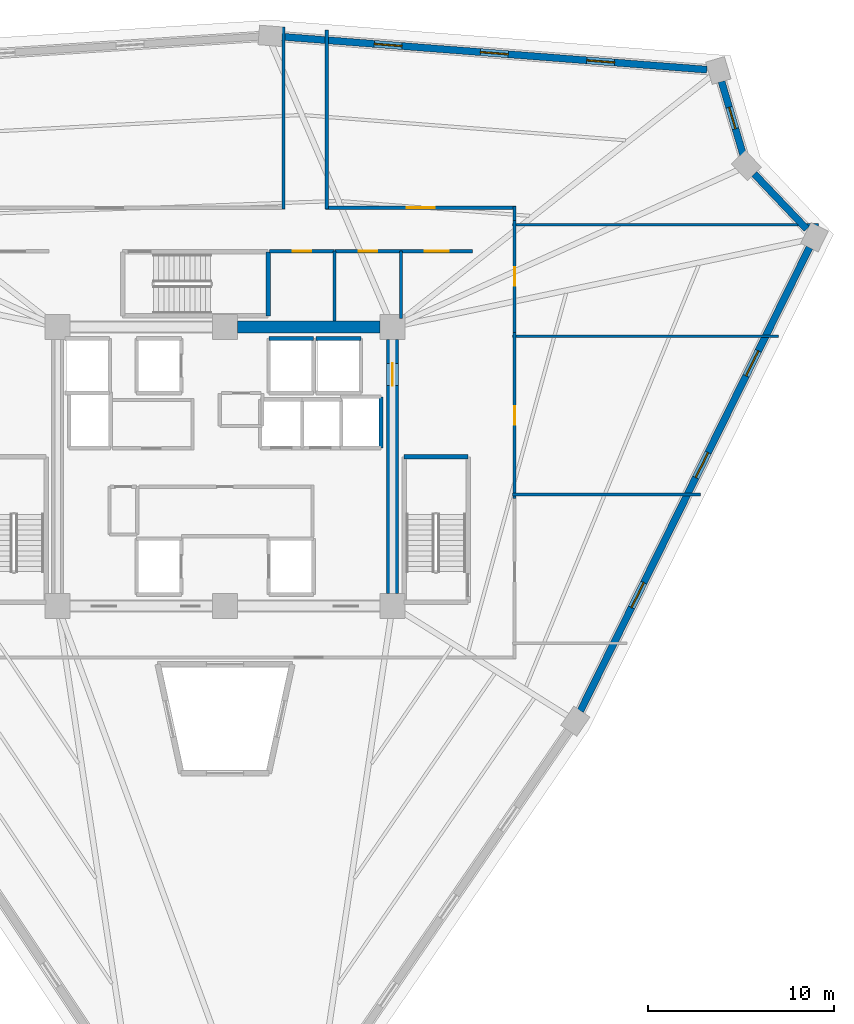
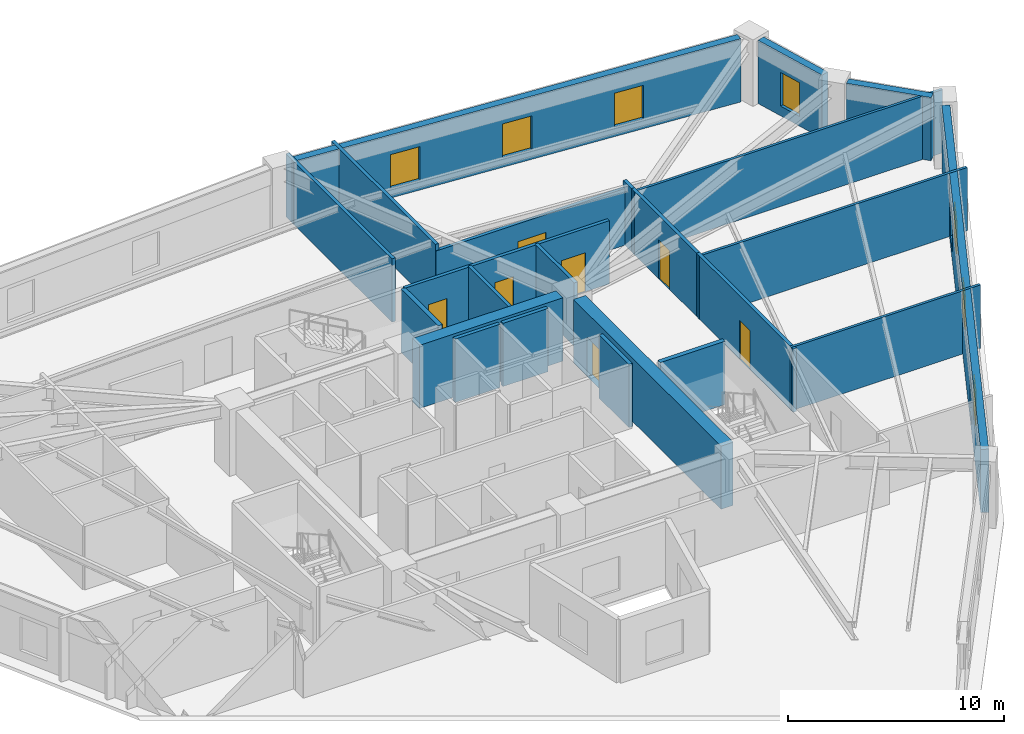
# One storey, part 6 of 8: 25 walls, 7 doors, 7 windows, 14 openings.
"""IFC4 building model written with IfcOpenShell, lengths in metres."""

from ifc_helpers import new_model, si_unit, direction, frame, frame_2d, origin, place, context, subcontext, project, spatial, rectangle, extrude, source, transform, mapped, material, layer, layer_set, type_object, element, fill, save


model = new_model("IFC4")

# Units and contexts
model_context = context("Model", 3, precision=1e-05, world=origin(), true_north=direction((0.0, 1.0)))
body_context = subcontext(model_context, "Body", "Model", "MODEL_VIEW")
ifc_project = project(units=[si_unit("LENGTHUNIT", "METRE"), si_unit("AREAUNIT", "SQUARE_METRE"), si_unit("VOLUMEUNIT", "CUBIC_METRE"), si_unit("PLANEANGLEUNIT", "RADIAN"), si_unit("MASSUNIT", "GRAM", prefix="KILO")], contexts=[model_context])

# Site, building, storey
site_placement = place(None, origin())
site = spatial("IfcSite", under=ifc_project, at=site_placement, CompositionType="ELEMENT")
building_placement = place(site_placement, origin())
building = spatial("IfcBuilding", under=site, at=building_placement, Name="Liaohun Quay Tower", CompositionType="ELEMENT")
storey_placement = place(building_placement, frame((0.0, 0.0, 266.25)))
storey = spatial("IfcBuildingStorey", under=building, at=storey_placement, Name="L69", CompositionType="ELEMENT", Elevation=266.25)

# Wall
ifc_material_1 = material(Name="Concrete C55", Category="concrete")
ifc_layer_1 = layer(ifc_material_1, 0.64990234375, Name="Concrete C55", Category="concrete")
ifc_layer_set_1 = layer_set([ifc_layer_1], Name="Concrete C55")
wall_type_1 = type_object("IfcWallType", Name="WAL-COR-Z3", PredefinedType="SHEAR", material=ifc_layer_set_1)
wall_1_placement = place(storey_placement, frame((60.675048828125, 61.5, 0.0), z_axis=(0.0, 0.0, 1.0), x_axis=(1.0, 0.0, 0.0)))
element("IfcWall", 1, at=wall_1_placement, inside=storey, type_object=wall_type_1, Name="L69 Central Core Shear Wall N-E", PredefinedType="SHEAR", context=body_context, shape_type="SweptSolid", body=[
    extrude(rectangle(XDim=7.64990234375, YDim=0.64990234375, at=frame_2d((3.824951171875, 0.0))), origin(), (0.0, 0.0, 1.0), 3.570068359375),
])

# Wall, opening, door
wall_2_placement = place(storey_placement, frame((69.0, 60.824951171875, 0.0), z_axis=(0.0, 0.0, 1.0), x_axis=(0.0, -1.0, 0.0)))
wall_2 = element("IfcWall", 2, at=wall_2_placement, inside=storey, type_object=wall_type_1, Name="L69 Central Core Shear Wall E", PredefinedType="SHEAR", context=body_context, shape_type="SweptSolid", body=[
    extrude(rectangle(XDim=13.64990234375, YDim=0.64990234375, at=frame_2d((6.824951171875, 0.0))), origin(), (0.0, 0.0, 1.0), 3.570068359375),
])
shared_shape_1 = source(origin(), body_context, "Body", "SweptSolid", [
    extrude(rectangle(XDim=1.199951171875, YDim=2.199951171875, at=frame_2d((0.60009765625, 1.10009765625))), frame((0.0, 0.3349609375, 0.0), z_axis=(0.0, -1.0, 0.0), x_axis=(1.0, 0.0, 0.0)), (0.0, 0.0, 1.0), 0.669921875),
])
opening_1_placement = place(wall_2_placement, frame((1.27490234375, 0.0, 0.0)))
opening_1 = element("IfcOpeningElement", 3, at=opening_1_placement, cuts=wall_2, Name="Opening SD1", PredefinedType="OPENING", context=body_context, shape_type="MappedRepresentation", body=[
    mapped(shared_shape_1, transform((0.0, 0.0, 0.0), x_axis=(1.0, 0.0, 0.0), y_axis=(0.0, 1.0, 0.0), z_axis=(0.0, 0.0, 1.0), scale=1.0)),
])
ifc_material_2 = material(Name="Galvanised steel fire door", Category="steel")
door_type_1 = type_object("IfcDoorType", Name="DOR-STR-1200", OperationType="NOTDEFINED", PredefinedType="DOOR", material=ifc_material_2)
shared_shape_2 = source(origin(), body_context, "Body", "SweptSolid", [
    extrude(rectangle(XDim=1.199951171875, YDim=2.199951171875, at=frame_2d((0.60009765625, 1.10009765625))), frame((0.0, 0.02490234375, 0.0), z_axis=(0.0, -1.0, 0.0), x_axis=(1.0, 0.0, 0.0)), (0.0, 0.0, 1.0), 0.050048828125),
])
door_1_placement = place(opening_1_placement, origin())
door_1 = element("IfcDoor", 4, at=door_1_placement, inside=storey, type_object=door_type_1, Name="L69 North-East Core Lobby Smokeproof Door", OperationType="SINGLE_SWING_LEFT", OverallHeight=2.199951171875, OverallWidth=1.199951171875, PredefinedType="DOOR", context=body_context, shape_type="MappedRepresentation", body=[
    mapped(shared_shape_2, transform((0.0, 0.0, 0.0), x_axis=(1.0, 0.0, 0.0), y_axis=(0.0, 1.0, 0.0), z_axis=(0.0, 0.0, 1.0), scale=1.0)),
])
fill(opening_1, door_1)

# Wall, openings, windows
ifc_material_3 = material(Name="Precast concrete C50 insulated sandwich", Category="concrete")
ifc_layer_2 = layer(ifc_material_3, 0.3798828125, Name="Precast concrete C50 insulated sandwich", Category="concrete")
ifc_layer_set_2 = layer_set([ifc_layer_2], Name="Precast concrete C50 insulated sandwich")
wall_type_2 = type_object("IfcWallType", Name="WAL-EXT-Z34", PredefinedType="SOLIDWALL", material=ifc_layer_set_2)
wall_3_placement = place(storey_placement, frame((79.10009765625, 40.864990234375, 0.0), z_axis=(0.0, 0.0, 1.0), x_axis=(0.44309993188, 0.896472225096, 0.0)))
wall_3 = element("IfcWall", 5, at=wall_3_placement, inside=storey, type_object=wall_type_2, Name="L69 Brutalist Precast Pier Wall 03", PredefinedType="SOLIDWALL", context=body_context, shape_type="SweptSolid", body=[
    extrude(rectangle(XDim=27.783447265625, YDim=0.3798828125, at=frame_2d((13.8916015625, 0.0))), origin(), (0.0, 0.0, 1.0), 3.570068359375),
])
shared_shape_3 = source(origin(), body_context, "Body", "SweptSolid", [
    extrude(rectangle(XDim=1.5, YDim=1.89990234375, at=frame_2d((0.75, 0.949951171875))), frame((0.0, 0.199951171875, 0.0), z_axis=(0.0, -1.0, 0.0), x_axis=(1.0, 0.0, 0.0)), (0.0, 0.0, 1.0), 0.39990234375),
])
opening_2_placement = place(wall_3_placement, frame((6.196044921875, 0.0, 0.550048828125)))
opening_2 = element("IfcOpeningElement", 6, at=opening_2_placement, cuts=wall_3, Name="Opening W03", PredefinedType="OPENING", context=body_context, shape_type="MappedRepresentation", body=[
    mapped(shared_shape_3, transform((0.0, 0.0, 0.0), x_axis=(1.0, 0.0, 0.0), y_axis=(0.0, 1.0, 0.0), z_axis=(0.0, 0.0, 1.0), scale=1.0)),
])
opening_3_placement = place(wall_3_placement, frame((13.991943359375, 0.0, 0.550048828125)))
opening_3 = element("IfcOpeningElement", 7, at=opening_3_placement, cuts=wall_3, Name="Opening W03", PredefinedType="OPENING", context=body_context, shape_type="MappedRepresentation", body=[
    mapped(shared_shape_3, transform((0.0, 0.0, 0.0), x_axis=(1.0, 0.0, 0.0), y_axis=(0.0, 1.0, 0.0), z_axis=(0.0, 0.0, 1.0), scale=1.0)),
])
opening_4_placement = place(wall_3_placement, frame((20.087890625, 0.0, 0.550048828125)))
opening_4 = element("IfcOpeningElement", 8, at=opening_4_placement, cuts=wall_3, Name="Opening W03", PredefinedType="OPENING", context=body_context, shape_type="MappedRepresentation", body=[
    mapped(shared_shape_3, transform((0.0, 0.0, 0.0), x_axis=(1.0, 0.0, 0.0), y_axis=(0.0, 1.0, 0.0), z_axis=(0.0, 0.0, 1.0), scale=1.0)),
])
ifc_material_4 = material(Name="Triple Low-E argon glazing in thermally broken aluminium", Category="aluminium")
window_type_1 = type_object("IfcWindowType", Name="WIN-PUN-Z3", PartitioningType="DOUBLE_PANEL_VERTICAL", PredefinedType="WINDOW", material=ifc_material_4)
shared_shape_4 = source(origin(), body_context, "Body", "SweptSolid", [
    extrude(rectangle(XDim=1.5, YDim=1.89990234375, at=frame_2d((0.75, 0.949951171875))), frame((0.0, 0.030029296875, 0.0), z_axis=(0.0, -1.0, 0.0), x_axis=(1.0, 0.0, 0.0)), (0.0, 0.0, 1.0), 0.06005859375),
])
window_1_placement = place(opening_2_placement, origin())
window_1 = element("IfcWindow", 9, at=window_1_placement, inside=storey, type_object=window_type_1, Name="L69 Recessed Cold-Climate Punched Window 03-1", OverallHeight=1.89990234375, OverallWidth=1.5, PartitioningType="DOUBLE_PANEL_VERTICAL", PredefinedType="WINDOW", context=body_context, shape_type="MappedRepresentation", body=[
    mapped(shared_shape_4, transform((0.0, 0.0, 0.0), x_axis=(1.0, 0.0, 0.0), y_axis=(0.0, 1.0, 0.0), z_axis=(0.0, 0.0, 1.0), scale=1.0)),
])
fill(opening_2, window_1)
window_2_placement = place(opening_3_placement, origin())
window_2 = element("IfcWindow", 10, at=window_2_placement, inside=storey, type_object=window_type_1, Name="L69 Recessed Cold-Climate Punched Window 03-2", OverallHeight=1.89990234375, OverallWidth=1.5, PartitioningType="DOUBLE_PANEL_VERTICAL", PredefinedType="WINDOW", context=body_context, shape_type="MappedRepresentation", body=[
    mapped(shared_shape_4, transform((0.0, 0.0, 0.0), x_axis=(1.0, 0.0, 0.0), y_axis=(0.0, 1.0, 0.0), z_axis=(0.0, 0.0, 1.0), scale=1.0)),
])
fill(opening_3, window_2)
window_3_placement = place(opening_4_placement, origin())
window_3 = element("IfcWindow", 11, at=window_3_placement, inside=storey, type_object=window_type_1, Name="L69 Recessed Cold-Climate Punched Window 03-3", OverallHeight=1.89990234375, OverallWidth=1.5, PartitioningType="DOUBLE_PANEL_VERTICAL", PredefinedType="WINDOW", context=body_context, shape_type="MappedRepresentation", body=[
    mapped(shared_shape_4, transform((0.0, 0.0, 0.0), x_axis=(1.0, 0.0, 0.0), y_axis=(0.0, 1.0, 0.0), z_axis=(0.0, 0.0, 1.0), scale=1.0)),
])
fill(opening_4, window_3)

# Wall
wall_4_placement = place(storey_placement, frame((91.259033203125, 66.76904296875, 0.0), z_axis=(0.0, 0.0, 1.0), x_axis=(-0.689420989275, 0.724360890404, 0.0)))
element("IfcWall", 12, at=wall_4_placement, inside=storey, type_object=wall_type_2, Name="L69 Brutalist Precast Pier Wall 04", PredefinedType="SOLIDWALL", context=body_context, shape_type="SweptSolid", body=[
    extrude(rectangle(XDim=4.087646484375, YDim=0.3798828125, at=frame_2d((2.0439453125, 0.0))), origin(), (0.0, 0.0, 1.0), 3.570068359375),
])

# Wall, opening, window
wall_5_placement = place(storey_placement, frame((87.843017578125, 70.76611328125, 0.0), z_axis=(0.0, 0.0, 1.0), x_axis=(-0.282766622506, 0.95918873909, 0.0)))
wall_5 = element("IfcWall", 13, at=wall_5_placement, inside=storey, type_object=wall_type_2, Name="L69 Brutalist Precast Pier Wall 05", PredefinedType="SOLIDWALL", context=body_context, shape_type="SweptSolid", body=[
    extrude(rectangle(XDim=4.09521484375, YDim=0.3798828125, at=frame_2d((2.047607421875, 0.0))), origin(), (0.0, 0.0, 1.0), 3.570068359375),
])
shared_shape_5 = source(origin(), body_context, "Body", "SweptSolid", [
    extrude(rectangle(XDim=1.199951171875, YDim=1.89990234375, at=frame_2d((0.60009765625, 0.949951171875))), frame((0.0, 0.199951171875, 0.0), z_axis=(0.0, -1.0, 0.0), x_axis=(1.0, 0.0, 0.0)), (0.0, 0.0, 1.0), 0.39990234375),
])
opening_5_placement = place(wall_5_placement, frame((1.447998046875, 0.0, 0.550048828125)))
opening_5 = element("IfcOpeningElement", 14, at=opening_5_placement, cuts=wall_5, Name="Opening W05", PredefinedType="OPENING", context=body_context, shape_type="MappedRepresentation", body=[
    mapped(shared_shape_5, transform((0.0, 0.0, 0.0), x_axis=(1.0, 0.0, 0.0), y_axis=(0.0, 1.0, 0.0), z_axis=(0.0, 0.0, 1.0), scale=1.0)),
])
ifc_material_5 = material(Name="Triple Low-E corner notch glazing", Category="glass")
window_type_2 = type_object("IfcWindowType", Name="WIN-NOTCH", PartitioningType="SINGLE_PANEL", PredefinedType="WINDOW", material=ifc_material_5)
shared_shape_6 = source(origin(), body_context, "Body", "SweptSolid", [
    extrude(rectangle(XDim=1.199951171875, YDim=1.89990234375, at=frame_2d((0.60009765625, 0.949951171875))), frame((0.0, 0.030029296875, 0.0), z_axis=(0.0, -1.0, 0.0), x_axis=(1.0, 0.0, 0.0)), (0.0, 0.0, 1.0), 0.06005859375),
])
window_4_placement = place(opening_5_placement, origin())
window_4 = element("IfcWindow", 15, at=window_4_placement, inside=storey, type_object=window_type_2, Name="L69 Corner Notch Window W05-05", OverallHeight=1.89990234375, OverallWidth=1.199951171875, PartitioningType="SINGLE_PANEL", PredefinedType="WINDOW", context=body_context, shape_type="MappedRepresentation", body=[
    mapped(shared_shape_6, transform((0.0, 0.0, 0.0), x_axis=(1.0, 0.0, 0.0), y_axis=(0.0, 1.0, 0.0), z_axis=(0.0, 0.0, 1.0), scale=1.0)),
])
fill(opening_5, window_4)

# Wall, openings, windows
wall_6_placement = place(storey_placement, frame((85.89794921875, 75.3310546875, 0.0), z_axis=(0.0, 0.0, 1.0), x_axis=(-0.997012155609, 0.077244815801, 0.0)))
wall_6 = element("IfcWall", 16, at=wall_6_placement, inside=storey, type_object=wall_type_2, Name="L69 Brutalist Precast Pier Wall 06", PredefinedType="SOLIDWALL", context=body_context, shape_type="SweptSolid", body=[
    extrude(rectangle(XDim=22.914306640625, YDim=0.3798828125, at=frame_2d((11.45703125, 0.0))), origin(), (0.0, 0.0, 1.0), 3.570068359375),
])
opening_6_placement = place(wall_6_placement, frame((4.97900390625, 0.0, 0.550048828125)))
opening_6 = element("IfcOpeningElement", 17, at=opening_6_placement, cuts=wall_6, Name="Opening W03", PredefinedType="OPENING", context=body_context, shape_type="MappedRepresentation", body=[
    mapped(shared_shape_3, transform((0.0, 0.0, 0.0), x_axis=(1.0, 0.0, 0.0), y_axis=(0.0, 1.0, 0.0), z_axis=(0.0, 0.0, 1.0), scale=1.0)),
])
opening_7_placement = place(wall_6_placement, frame((10.70703125, 0.0, 0.550048828125)))
opening_7 = element("IfcOpeningElement", 18, at=opening_7_placement, cuts=wall_6, Name="Opening W03", PredefinedType="OPENING", context=body_context, shape_type="MappedRepresentation", body=[
    mapped(shared_shape_3, transform((0.0, 0.0, 0.0), x_axis=(1.0, 0.0, 0.0), y_axis=(0.0, 1.0, 0.0), z_axis=(0.0, 0.0, 1.0), scale=1.0)),
])
opening_8_placement = place(wall_6_placement, frame((16.43603515625, 0.0, 0.550048828125)))
opening_8 = element("IfcOpeningElement", 19, at=opening_8_placement, cuts=wall_6, Name="Opening W03", PredefinedType="OPENING", context=body_context, shape_type="MappedRepresentation", body=[
    mapped(shared_shape_3, transform((0.0, 0.0, 0.0), x_axis=(1.0, 0.0, 0.0), y_axis=(0.0, 1.0, 0.0), z_axis=(0.0, 0.0, 1.0), scale=1.0)),
])
window_5_placement = place(opening_6_placement, origin())
window_5 = element("IfcWindow", 20, at=window_5_placement, inside=storey, type_object=window_type_1, Name="L69 Recessed Cold-Climate Punched Window 06-1", OverallHeight=1.89990234375, OverallWidth=1.5, PartitioningType="DOUBLE_PANEL_VERTICAL", PredefinedType="WINDOW", context=body_context, shape_type="MappedRepresentation", body=[
    mapped(shared_shape_4, transform((0.0, 0.0, 0.0), x_axis=(1.0, 0.0, 0.0), y_axis=(0.0, 1.0, 0.0), z_axis=(0.0, 0.0, 1.0), scale=1.0)),
])
fill(opening_6, window_5)
window_6_placement = place(opening_7_placement, origin())
window_6 = element("IfcWindow", 21, at=window_6_placement, inside=storey, type_object=window_type_1, Name="L69 Recessed Cold-Climate Punched Window 06-2", OverallHeight=1.89990234375, OverallWidth=1.5, PartitioningType="DOUBLE_PANEL_VERTICAL", PredefinedType="WINDOW", context=body_context, shape_type="MappedRepresentation", body=[
    mapped(shared_shape_4, transform((0.0, 0.0, 0.0), x_axis=(1.0, 0.0, 0.0), y_axis=(0.0, 1.0, 0.0), z_axis=(0.0, 0.0, 1.0), scale=1.0)),
])
fill(opening_7, window_6)
window_7_placement = place(opening_8_placement, origin())
window_7 = element("IfcWindow", 22, at=window_7_placement, inside=storey, type_object=window_type_1, Name="L69 Recessed Cold-Climate Punched Window 06-3", OverallHeight=1.89990234375, OverallWidth=1.5, PartitioningType="DOUBLE_PANEL_VERTICAL", PredefinedType="WINDOW", context=body_context, shape_type="MappedRepresentation", body=[
    mapped(shared_shape_4, transform((0.0, 0.0, 0.0), x_axis=(1.0, 0.0, 0.0), y_axis=(0.0, 1.0, 0.0), z_axis=(0.0, 0.0, 1.0), scale=1.0)),
])
fill(opening_8, window_7)

# Wall, opening, door
ifc_material_6 = material(Name="Autoclaved aerated concrete blockwork", Category="masonry")
ifc_layer_3 = layer(ifc_material_6, 0.179931640625, Name="Autoclaved aerated concrete blockwork", Category="masonry")
ifc_layer_set_3 = layer_set([ifc_layer_3], Name="Autoclaved aerated concrete blockwork")
wall_type_3 = type_object("IfcWallType", Name="WAL-PRT-COR", PredefinedType="PARTITIONING", material=ifc_layer_set_3)
wall_7_placement = place(storey_placement, frame((62.389892578125, 65.580078125, 0.0), z_axis=(0.0, 0.0, 1.0), x_axis=(1.0, 0.0, 0.0)))
wall_7 = element("IfcWall", 23, at=wall_7_placement, inside=storey, type_object=wall_type_3, Name="L69 Interior Partition Wall 008", PredefinedType="PARTITIONING", context=body_context, shape_type="SweptSolid", body=[
    extrude(rectangle(XDim=3.489990234375, YDim=0.179931640625, at=frame_2d((1.7451171875, 0.0))), origin(), (0.0, 0.0, 1.0), 3.570068359375),
])
shared_shape_7 = source(origin(), body_context, "Body", "SweptSolid", [
    extrude(rectangle(XDim=1.0, YDim=2.199951171875, at=frame_2d((0.5, 1.10009765625))), frame((0.0, 0.099853515625, 0.0), z_axis=(0.0, -1.0, 0.0), x_axis=(1.0, 0.0, 0.0)), (0.0, 0.0, 1.0), 0.199951171875),
])
opening_9_placement = place(wall_7_placement, frame((1.2451171875, 0.0, 0.0)))
opening_9 = element("IfcOpeningElement", 24, at=opening_9_placement, cuts=wall_7, Name="Opening OD1", PredefinedType="OPENING", context=body_context, shape_type="MappedRepresentation", body=[
    mapped(shared_shape_7, transform((0.0, 0.0, 0.0), x_axis=(1.0, 0.0, 0.0), y_axis=(0.0, 1.0, 0.0), z_axis=(0.0, 0.0, 1.0), scale=1.0)),
])
ifc_material_7 = material(Name="Solid-core oak veneer timber leaf in steel frame", Category="steel")
door_type_2 = type_object("IfcDoorType", Name="DOR-OFF-1000", OperationType="NOTDEFINED", PredefinedType="DOOR", material=ifc_material_7)
shared_shape_8 = source(origin(), body_context, "Body", "SweptSolid", [
    extrude(rectangle(XDim=1.0, YDim=2.199951171875, at=frame_2d((0.5, 1.10009765625))), frame((0.0, 0.02490234375, 0.0), z_axis=(0.0, -1.0, 0.0), x_axis=(1.0, 0.0, 0.0)), (0.0, 0.0, 1.0), 0.050048828125),
])
door_2_placement = place(opening_9_placement, origin())
door_2 = element("IfcDoor", 25, at=door_2_placement, inside=storey, type_object=door_type_2, Name="L69 North-East Archive Store Door", OperationType="SINGLE_SWING_RIGHT", OverallHeight=2.199951171875, OverallWidth=1.0, PredefinedType="DOOR", context=body_context, shape_type="MappedRepresentation", body=[
    mapped(shared_shape_8, transform((0.0, 0.0, 0.0), x_axis=(1.0, 0.0, 0.0), y_axis=(0.0, 1.0, 0.0), z_axis=(0.0, 0.0, 1.0), scale=1.0)),
])
fill(opening_9, door_2)

wall_8_placement = place(storey_placement, frame((65.919921875, 65.580078125, 0.0), z_axis=(0.0, 0.0, 1.0), x_axis=(1.0, 0.0, 0.0)))
wall_8 = element("IfcWall", 26, at=wall_8_placement, inside=storey, type_object=wall_type_3, Name="L69 Interior Partition Wall 009", PredefinedType="PARTITIONING", context=body_context, shape_type="SweptSolid", body=[
    extrude(rectangle(XDim=3.5400390625, YDim=0.179931640625, at=frame_2d((1.77001953125, 0.0))), origin(), (0.0, 0.0, 1.0), 3.570068359375),
])
opening_10_placement = place(wall_8_placement, frame((1.27001953125, 0.0, 0.0)))
opening_10 = element("IfcOpeningElement", 27, at=opening_10_placement, cuts=wall_8, Name="Opening OD1", PredefinedType="OPENING", context=body_context, shape_type="MappedRepresentation", body=[
    mapped(shared_shape_7, transform((0.0, 0.0, 0.0), x_axis=(1.0, 0.0, 0.0), y_axis=(0.0, 1.0, 0.0), z_axis=(0.0, 0.0, 1.0), scale=1.0)),
])
door_3_placement = place(opening_10_placement, origin())
door_3 = element("IfcDoor", 28, at=door_3_placement, inside=storey, type_object=door_type_2, Name="L69 North-East Pantry Room Door", OperationType="SINGLE_SWING_LEFT", OverallHeight=2.199951171875, OverallWidth=1.0, PredefinedType="DOOR", context=body_context, shape_type="MappedRepresentation", body=[
    mapped(shared_shape_8, transform((0.0, 0.0, 0.0), x_axis=(1.0, 0.0, 0.0), y_axis=(0.0, 1.0, 0.0), z_axis=(0.0, 0.0, 1.0), scale=1.0)),
])
fill(opening_10, door_3)

wall_9_placement = place(storey_placement, frame((69.4599609375, 65.580078125, 0.0), z_axis=(0.0, 0.0, 1.0), x_axis=(1.0, 0.0, 0.0)))
wall_9 = element("IfcWall", 29, at=wall_9_placement, inside=storey, type_object=wall_type_3, Name="L69 Interior Partition Wall 011", PredefinedType="PARTITIONING", context=body_context, shape_type="SweptSolid", body=[
    extrude(rectangle(XDim=3.840087890625, YDim=0.179931640625, at=frame_2d((1.919921875, 0.0))), origin(), (0.0, 0.0, 1.0), 3.570068359375),
])
shared_shape_9 = source(origin(), body_context, "Body", "SweptSolid", [
    extrude(rectangle(XDim=1.300048828125, YDim=2.199951171875, at=frame_2d((0.64990234375, 1.10009765625))), frame((0.0, 0.099853515625, 0.0), z_axis=(0.0, -1.0, 0.0), x_axis=(1.0, 0.0, 0.0)), (0.0, 0.0, 1.0), 0.199951171875),
])
opening_11_placement = place(wall_9_placement, frame((1.27001953125, 0.0, 0.0)))
opening_11 = element("IfcOpeningElement", 30, at=opening_11_placement, cuts=wall_9, Name="Opening FD1", PredefinedType="OPENING", context=body_context, shape_type="MappedRepresentation", body=[
    mapped(shared_shape_9, transform((0.0, 0.0, 0.0), x_axis=(1.0, 0.0, 0.0), y_axis=(0.0, 1.0, 0.0), z_axis=(0.0, 0.0, 1.0), scale=1.0)),
])
ifc_material_8 = material(Name="Galvanised steel smokeproof fire door", Category="steel")
door_type_3 = type_object("IfcDoorType", Name="DOR-FFL-1300", OperationType="NOTDEFINED", PredefinedType="DOOR", material=ifc_material_8)
shared_shape_10 = source(origin(), body_context, "Body", "SweptSolid", [
    extrude(rectangle(XDim=1.300048828125, YDim=2.199951171875, at=frame_2d((0.64990234375, 1.10009765625))), frame((0.0, 0.02490234375, 0.0), z_axis=(0.0, -1.0, 0.0), x_axis=(1.0, 0.0, 0.0)), (0.0, 0.0, 1.0), 0.050048828125),
])
door_4_placement = place(opening_11_placement, origin())
door_4 = element("IfcDoor", 31, at=door_4_placement, inside=storey, type_object=door_type_3, Name="L69 East Core Vestibule Door", OperationType="SINGLE_SWING_LEFT", OverallHeight=2.199951171875, OverallWidth=1.300048828125, PredefinedType="DOOR", context=body_context, shape_type="MappedRepresentation", body=[
    mapped(shared_shape_10, transform((0.0, 0.0, 0.0), x_axis=(1.0, 0.0, 0.0), y_axis=(0.0, 1.0, 0.0), z_axis=(0.0, 0.0, 1.0), scale=1.0)),
])
fill(opening_11, door_4)

wall_10_placement = place(storey_placement, frame((75.56005859375, 61.215087890625, 0.0), z_axis=(0.0, 0.0, 1.0), x_axis=(0.0, -1.0, 0.0)))
wall_10 = element("IfcWall", 32, at=wall_10_placement, inside=storey, type_object=wall_type_3, Name="L69 Interior Partition Wall 012", PredefinedType="PARTITIONING", context=body_context, shape_type="SweptSolid", body=[
    extrude(rectangle(XDim=8.93017578125, YDim=0.179931640625, at=frame_2d((4.465087890625, 0.0))), origin(), (0.0, 0.0, 1.0), 3.570068359375),
])
opening_12_placement = place(wall_10_placement, frame((3.965087890625, 0.0, 0.0)))
opening_12 = element("IfcOpeningElement", 33, at=opening_12_placement, cuts=wall_10, Name="Opening OD1", PredefinedType="OPENING", context=body_context, shape_type="MappedRepresentation", body=[
    mapped(shared_shape_7, transform((0.0, 0.0, 0.0), x_axis=(1.0, 0.0, 0.0), y_axis=(0.0, 1.0, 0.0), z_axis=(0.0, 0.0, 1.0), scale=1.0)),
])
door_5_placement = place(opening_12_placement, origin())
door_5 = element("IfcDoor", 34, at=door_5_placement, inside=storey, type_object=door_type_2, Name="L69 Digital Prototyping Laboratory 01 Door", OperationType="SINGLE_SWING_RIGHT", OverallHeight=2.199951171875, OverallWidth=1.0, PredefinedType="DOOR", context=body_context, shape_type="MappedRepresentation", body=[
    mapped(shared_shape_8, transform((0.0, 0.0, 0.0), x_axis=(1.0, 0.0, 0.0), y_axis=(0.0, 1.0, 0.0), z_axis=(0.0, 0.0, 1.0), scale=1.0)),
])
fill(opening_12, door_5)

wall_11_placement = place(storey_placement, frame((75.56005859375, 67.215087890625, 0.0), z_axis=(0.0, 0.0, 1.0), x_axis=(0.0, -1.0, 0.0)))
wall_11 = element("IfcWall", 35, at=wall_11_placement, inside=storey, type_object=wall_type_3, Name="L69 Interior Partition Wall 013", PredefinedType="PARTITIONING", context=body_context, shape_type="SweptSolid", body=[
    extrude(rectangle(XDim=6.0, YDim=0.179931640625, at=frame_2d((3.0, 0.0))), origin(), (0.0, 0.0, 1.0), 3.570068359375),
])
opening_13_placement = place(wall_11_placement, frame((2.5, 0.0, 0.0)))
opening_13 = element("IfcOpeningElement", 36, at=opening_13_placement, cuts=wall_11, Name="Opening OD1", PredefinedType="OPENING", context=body_context, shape_type="MappedRepresentation", body=[
    mapped(shared_shape_7, transform((0.0, 0.0, 0.0), x_axis=(1.0, 0.0, 0.0), y_axis=(0.0, 1.0, 0.0), z_axis=(0.0, 0.0, 1.0), scale=1.0)),
])
door_6_placement = place(opening_13_placement, origin())
door_6 = element("IfcDoor", 37, at=door_6_placement, inside=storey, type_object=door_type_2, Name="L69 Client Collaboration Lounge 02 Door", OperationType="SINGLE_SWING_LEFT", OverallHeight=2.199951171875, OverallWidth=1.0, PredefinedType="DOOR", context=body_context, shape_type="MappedRepresentation", body=[
    mapped(shared_shape_8, transform((0.0, 0.0, 0.0), x_axis=(1.0, 0.0, 0.0), y_axis=(0.0, 1.0, 0.0), z_axis=(0.0, 0.0, 1.0), scale=1.0)),
])
fill(opening_13, door_6)

wall_12_placement = place(storey_placement, frame((65.389892578125, 67.909912109375, 0.0), z_axis=(0.0, 0.0, 1.0), x_axis=(1.0, 0.0, 0.0)))
wall_12 = element("IfcWall", 38, at=wall_12_placement, inside=storey, type_object=wall_type_3, Name="L69 Interior Partition Wall 014", PredefinedType="PARTITIONING", context=body_context, shape_type="SweptSolid", body=[
    extrude(rectangle(XDim=10.239990234375, YDim=0.179931640625, at=frame_2d((5.1201171875, 0.0))), origin(), (0.0, 0.0, 1.0), 3.205078125),
])
shared_shape_11 = source(origin(), body_context, "Body", "SweptSolid", [
    extrude(rectangle(XDim=1.5, YDim=2.199951171875, at=frame_2d((0.75, 1.10009765625))), frame((0.0, 0.099853515625, 0.0), z_axis=(0.0, -1.0, 0.0), x_axis=(1.0, 0.0, 0.0)), (0.0, 0.0, 1.0), 0.199951171875),
])
opening_14_placement = place(wall_12_placement, frame((4.3701171875, 0.0, 0.0)))
opening_14 = element("IfcOpeningElement", 39, at=opening_14_placement, cuts=wall_12, Name="Opening OD2", PredefinedType="OPENING", context=body_context, shape_type="MappedRepresentation", body=[
    mapped(shared_shape_11, transform((0.0, 0.0, 0.0), x_axis=(1.0, 0.0, 0.0), y_axis=(0.0, 1.0, 0.0), z_axis=(0.0, 0.0, 1.0), scale=1.0)),
])
ifc_material_9 = material(Name="Acoustic oak veneer double door")
door_type_4 = type_object("IfcDoorType", Name="DOR-OFF-1500", OperationType="DOUBLE_DOOR_SINGLE_SWING", PredefinedType="DOOR", material=ifc_material_9)
shared_shape_12 = source(origin(), body_context, "Body", "SweptSolid", [
    extrude(rectangle(XDim=1.5, YDim=2.199951171875, at=frame_2d((0.75, 1.10009765625))), frame((0.0, 0.02490234375, 0.0), z_axis=(0.0, -1.0, 0.0), x_axis=(1.0, 0.0, 0.0)), (0.0, 0.0, 1.0), 0.050048828125),
])
door_7_placement = place(opening_14_placement, origin())
door_7 = element("IfcDoor", 40, at=door_7_placement, inside=storey, type_object=door_type_4, Name="L69 Digital Prototyping Laboratory 03 Door", OperationType="DOUBLE_DOOR_SINGLE_SWING", OverallHeight=2.199951171875, OverallWidth=1.5, PredefinedType="DOOR", context=body_context, shape_type="MappedRepresentation", body=[
    mapped(shared_shape_12, transform((0.0, 0.0, 0.0), x_axis=(1.0, 0.0, 0.0), y_axis=(0.0, 1.0, 0.0), z_axis=(0.0, 0.0, 1.0), scale=1.0)),
])
fill(opening_14, door_7)

# Walls
wall_13_placement = place(storey_placement, frame((65.8798828125, 61.824951171875, 0.0), z_axis=(0.0, 0.0, 1.0), x_axis=(0.0, 1.0, 0.0)))
element("IfcWall", 41, at=wall_13_placement, inside=storey, type_object=wall_type_3, Name="L69 Interior Partition Wall 032", PredefinedType="PARTITIONING", context=body_context, shape_type="SweptSolid", body=[
    extrude(rectangle(XDim=3.755126953125, YDim=0.179931640625, at=frame_2d((1.87744140625, 0.0))), origin(), (0.0, 0.0, 1.0), 3.570068359375),
])
wall_14_placement = place(storey_placement, frame((69.4599609375, 61.949951171875, 0.0), z_axis=(0.0, 0.0, 1.0), x_axis=(0.0, 1.0, 0.0)))
element("IfcWall", 42, at=wall_14_placement, inside=storey, type_object=wall_type_3, Name="L69 Interior Partition Wall 033", PredefinedType="PARTITIONING", context=body_context, shape_type="SweptSolid", body=[
    extrude(rectangle(XDim=3.630126953125, YDim=0.179931640625, at=frame_2d((1.81494140625, 0.0))), origin(), (0.0, 0.0, 1.0), 3.570068359375),
])
wall_15_placement = place(storey_placement, frame((65.4599609375, 77.455078125, 0.0), z_axis=(0.0, 0.0, 1.0), x_axis=(0.0, -1.0, 0.0)))
element("IfcWall", 43, at=wall_15_placement, inside=storey, type_object=wall_type_3, Name="L69 Interior Partition Wall 034", PredefinedType="PARTITIONING", context=body_context, shape_type="SweptSolid", body=[
    extrude(rectangle(XDim=9.614990234375, YDim=0.179931640625, at=frame_2d((4.8076171875, 0.0))), origin(), (0.0, 0.0, 1.0), 3.570068359375),
])
wall_16_placement = place(storey_placement, frame((75.56005859375, 67.97998046875, 0.0), z_axis=(0.0, 0.0, 1.0), x_axis=(0.0, -1.0, 0.0)))
element("IfcWall", 44, at=wall_16_placement, inside=storey, type_object=wall_type_3, Name="L69 Interior Partition Wall 035", PredefinedType="PARTITIONING", context=body_context, shape_type="SweptSolid", body=[
    extrude(rectangle(XDim=0.764892578125, YDim=0.179931640625, at=frame_2d((0.38232421875, 0.0))), origin(), (0.0, 0.0, 1.0), 3.570068359375),
])
wall_17_placement = place(storey_placement, frame((63.139892578125, 67.840087890625, 0.0), z_axis=(0.0, 0.0, 1.0), x_axis=(0.0, 1.0, 0.0)))
element("IfcWall", 45, at=wall_17_placement, inside=storey, type_object=wall_type_3, Name="L69 Interior Partition Wall 036", PredefinedType="PARTITIONING", context=body_context, shape_type="SweptSolid", body=[
    extrude(rectangle(XDim=9.794921875, YDim=0.179931640625, at=frame_2d((4.8974609375, 0.0))), origin(), (0.0, 0.0, 1.0), 3.570068359375),
])
ifc_material_10 = material(Name="Gypsum board on twin steel studs", Category="steel")
ifc_layer_4 = layer(ifc_material_10, 0.139892578125, Name="Gypsum board on twin steel studs", Category="steel")
ifc_layer_set_4 = layer_set([ifc_layer_4], Name="Gypsum board on twin steel studs")
wall_type_4 = type_object("IfcWallType", Name="WAL-PRT-OFF", PredefinedType="PARTITIONING", material=ifc_layer_set_4)
wall_18_placement = place(storey_placement, frame((75.4599609375, 52.5, 0.0), z_axis=(0.0, 0.0, 1.0), x_axis=(1.0, 0.0, 0.0)))
element("IfcWall", 46, at=wall_18_placement, inside=storey, type_object=wall_type_4, Name="L69 Interior Partition Wall 047", PredefinedType="PARTITIONING", context=body_context, shape_type="SweptSolid", body=[
    extrude(rectangle(XDim=10.093994140625, YDim=0.139892578125, at=frame_2d((5.046875, 0.0))), origin(), (0.0, 0.0, 1.0), 3.570068359375),
])
wall_19_placement = place(storey_placement, frame((75.4599609375, 61.0, 0.0), z_axis=(0.0, 0.0, 1.0), x_axis=(1.0, 0.0, 0.0)))
element("IfcWall", 47, at=wall_19_placement, inside=storey, type_object=wall_type_4, Name="L69 Interior Partition Wall 048", PredefinedType="PARTITIONING", context=body_context, shape_type="SweptSolid", body=[
    extrude(rectangle(XDim=14.294921875, YDim=0.139892578125, at=frame_2d((7.1474609375, 0.0))), origin(), (0.0, 0.0, 1.0), 3.570068359375),
])
wall_20_placement = place(storey_placement, frame((75.4599609375, 67.0, 0.0), z_axis=(0.0, 0.0, 1.0), x_axis=(1.0, 0.0, 0.0)))
element("IfcWall", 48, at=wall_20_placement, inside=storey, type_object=wall_type_4, Name="L69 Interior Partition Wall 049", PredefinedType="PARTITIONING", context=body_context, shape_type="SweptSolid", body=[
    extrude(rectangle(XDim=16.448974609375, YDim=0.139892578125, at=frame_2d((8.224609375, 0.0))), origin(), (0.0, 0.0, 1.0), 3.570068359375),
])
ifc_material_11 = material(Name="Concrete C50", Category="concrete")
ifc_layer_5 = layer(ifc_material_11, 0.239990234375, Name="Concrete C50", Category="concrete")
ifc_layer_set_5 = layer_set([ifc_layer_5], Name="Concrete C50")
wall_type_5 = type_object("IfcWallType", Name="WAL-SHF-200", PredefinedType="SOLIDWALL", material=ifc_layer_set_5)
for number, where, z_axis, x_axis, name in (
    (49, (73.06005859375, 54.52001953125, 0.0), (0.0, 0.0, 1.0), (-1.0, 0.0, 0.0), "L69 Stairwell ST-2 Structural Core Wall N"),
    (50, (62.320068359375, 62.10009765625, 0.0), (0.0, 0.0, 1.0), (0.0, 1.0, 0.0), "L69 Stairwell ST-3 Structural Core Wall E"),
):
    element("IfcWall", number, at=place(storey_placement, frame(where, z_axis=z_axis, x_axis=x_axis)), inside=storey, type_object=wall_type_5, Name=name, PredefinedType="SOLIDWALL", context=body_context, shape_type="SweptSolid", body=[
        extrude(rectangle(XDim=3.43994140625, YDim=0.239990234375, at=frame_2d((1.719970703125, 0.0))), origin(), (0.0, 0.0, 1.0), 3.570068359375),
    ])
wall_21_placement = place(storey_placement, frame((64.75, 60.8798828125, 0.0), z_axis=(0.0, 0.0, 1.0), x_axis=(-1.0, 0.0, 0.0)))
element("IfcWall", 51, at=wall_21_placement, inside=storey, type_object=wall_type_5, Name="L69 Lift OB-01 Hoistway Wall N", PredefinedType="SOLIDWALL", context=body_context, shape_type="SweptSolid", body=[
    extrude(rectangle(XDim=2.39990234375, YDim=0.199951171875, at=frame_2d((1.199951171875, 0.0))), origin(), (0.0, 0.0, 1.0), 3.570068359375),
])
wall_22_placement = place(storey_placement, frame((67.300048828125, 60.8798828125, 0.0), z_axis=(0.0, 0.0, 1.0), x_axis=(-1.0, 0.0, 0.0)))
element("IfcWall", 52, at=wall_22_placement, inside=storey, type_object=wall_type_5, Name="L69 Lift OB-02 Hoistway Wall N", PredefinedType="SOLIDWALL", context=body_context, shape_type="SweptSolid", body=[
    extrude(rectangle(XDim=2.400146484375, YDim=0.199951171875, at=frame_2d((1.2001953125, 0.0))), origin(), (0.0, 0.0, 1.0), 3.570068359375),
])
wall_23_placement = place(storey_placement, frame((68.3798828125, 55.0, 0.0), z_axis=(0.0, 0.0, 1.0), x_axis=(0.0, 1.0, 0.0)))
element("IfcWall", 53, at=wall_23_placement, inside=storey, type_object=wall_type_5, Name="L69 Lift SH-03 Hoistway Wall E", PredefinedType="SOLIDWALL", context=body_context, shape_type="SweptSolid", body=[
    extrude(rectangle(XDim=2.75, YDim=0.199951171875, at=frame_2d((1.375, 0.0))), origin(), (0.0, 0.0, 1.0), 3.570068359375),
])

save(model, "model.ifc")
